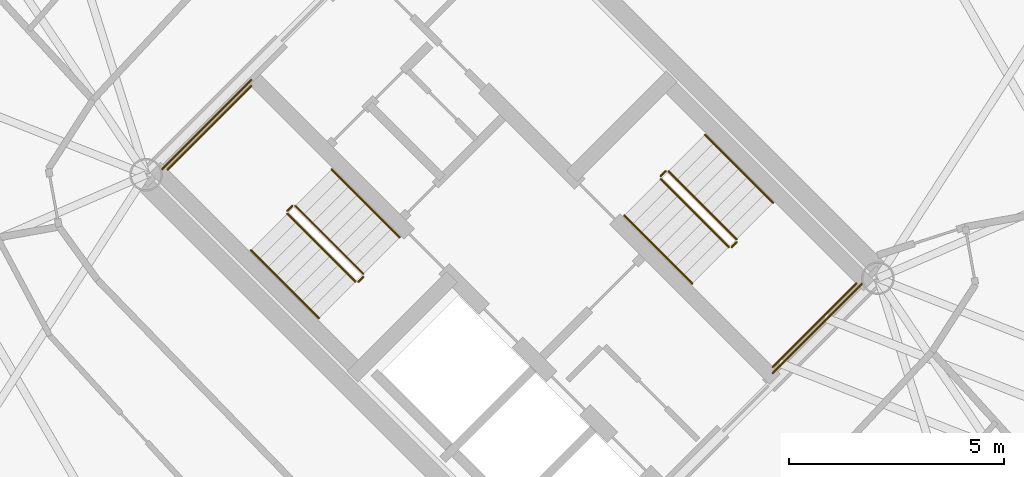
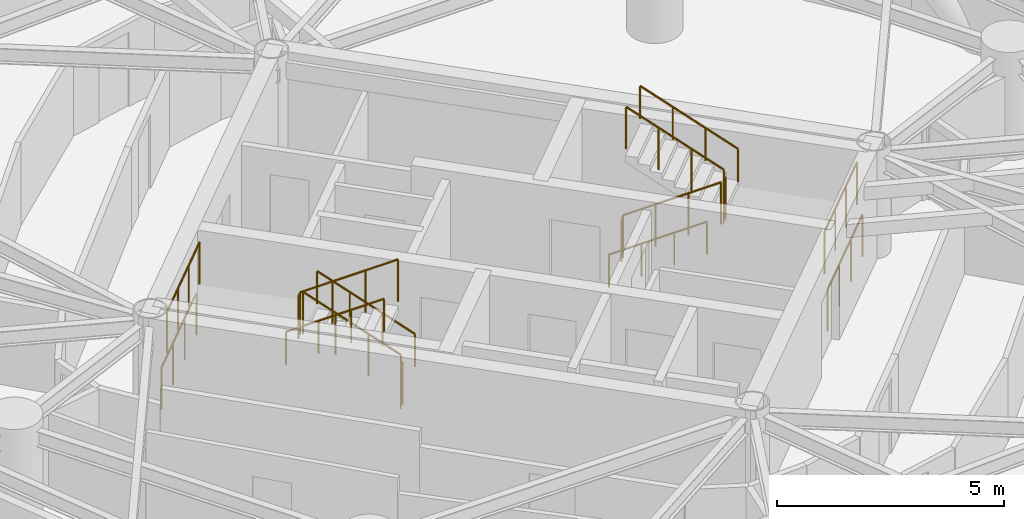
# One storey, part 17 of 17: 16 railings.
"""IFC4 building model written with IfcOpenShell, lengths in metres."""

from ifc_helpers import new_model, si_unit, direction, frame, origin, origin_2d, place, context, subcontext, project, spatial, circle, extrude, material, type_object, element, save


model = new_model("IFC4")

# Units and contexts
model_context = context("Model", 3, precision=1e-05, world=origin(), true_north=direction((0.0, 1.0)))
body_context = subcontext(model_context, "Body", "Model", "MODEL_VIEW")
ifc_project = project(units=[si_unit("LENGTHUNIT", "METRE"), si_unit("AREAUNIT", "SQUARE_METRE"), si_unit("VOLUMEUNIT", "CUBIC_METRE"), si_unit("PLANEANGLEUNIT", "RADIAN"), si_unit("MASSUNIT", "GRAM", prefix="KILO")], contexts=[model_context])

# Site, building, storey
site_placement = place(None, origin())
site = spatial("IfcSite", under=ifc_project, at=site_placement, CompositionType="ELEMENT")
building_placement = place(site_placement, origin())
building = spatial("IfcBuilding", under=site, at=building_placement, Name="Cununo Teusaquillo Station Towers", CompositionType="ELEMENT")
storey_placement = place(building_placement, frame((0.0, 0.0, 166.14990234375)))
storey = spatial("IfcBuildingStorey", under=building, at=storey_placement, Name="L52", CompositionType="ELEMENT", Elevation=166.14990234375)

# Railings
ifc_material_1 = material(Name="Steel EN 10025-2 S355J2", Category="steel")
railing_type_1 = type_object("IfcRailingType", Name="RL-INT-GUARD", PredefinedType="GUARDRAIL", material=ifc_material_1)
railing_1_placement = place(storey_placement, frame((54.03515625, 23.39697265625, 0.161865234375)))
element("IfcRailing", 1, at=railing_1_placement, inside=storey, type_object=railing_type_1, Name="L52 ST-T2-1 stair guard 1", PredefinedType="GUARDRAIL", context=body_context, shape_type="SweptSolid", body=[
    extrude(circle(Radius=0.02392578125, at=origin_2d()), frame((0.0, 0.0, 1.1259765625), z_axis=(-0.612361259024, 0.612361259024, 0.500027376144), x_axis=(-0.707106781187, -0.707106781187, 0.0)), (0.0, 0.0, 1.0), 2.586181640625),
    extrude(circle(Radius=0.02099609375, at=origin_2d()), origin(), (0.0, 0.0, 1.0), 1.101806640625),
    extrude(circle(Radius=0.02099609375, at=origin_2d()), frame((-0.52783203125, 0.52783203125, 0.43115234375)), (0.0, 0.0, 1.0), 1.101806640625),
    extrude(circle(Radius=0.02099609375, at=origin_2d()), frame((-1.055908203125, 1.055908203125, 0.862060546875)), (0.0, 0.0, 1.0), 1.101806640625),
    extrude(circle(Radius=0.02099609375, at=origin_2d()), frame((-1.583740234375, 1.583740234375, 1.293212890625)), (0.0, 0.0, 1.0), 1.101806640625),
])
railing_2_placement = place(storey_placement, frame((52.380615234375, 24.980712890625, 1.455078125)))
element("IfcRailing", 2, at=railing_2_placement, inside=storey, type_object=railing_type_1, Name="L52 ST-T2-1 stair guard 2", PredefinedType="GUARDRAIL", context=body_context, shape_type="SweptSolid", body=[
    extrude(circle(Radius=0.02392578125, at=origin_2d()), frame((0.0, 0.0, 1.1259765625), z_axis=(-0.7078691598, -0.706343579714, 0.0), x_axis=(0.706343579714, -0.7078691598, 0.0)), (0.0, 0.0, 1.0), 0.159912109375),
    extrude(circle(Radius=0.02099609375, at=origin_2d()), origin(), (0.0, 0.0, 1.0), 1.101806640625),
    extrude(circle(Radius=0.02099609375, at=origin_2d()), frame((-0.11328125, -0.113037109375, 0.0)), (0.0, 0.0, 1.0), 1.101806640625),
])
railing_3_placement = place(storey_placement, frame((51.426025390625, 27.77392578125, 1.455078125)))
element("IfcRailing", 3, at=railing_3_placement, inside=storey, type_object=railing_type_1, Name="L52 ST-T2-1 stair guard 3", PredefinedType="GUARDRAIL", context=body_context, shape_type="SweptSolid", body=[
    extrude(circle(Radius=0.02392578125, at=origin_2d()), frame((0.0, 0.0, 1.1259765625), z_axis=(-0.707106781187, -0.707106781187, 0.0), x_axis=(0.707106781187, -0.707106781187, 0.0)), (0.0, 0.0, 1.0), 2.760009765625),
    extrude(circle(Radius=0.02099609375, at=origin_2d()), origin(), (0.0, 0.0, 1.0), 1.101806640625),
    extrude(circle(Radius=0.02099609375, at=origin_2d()), frame((-0.650634765625, -0.650634765625, 0.0)), (0.0, 0.0, 1.0), 1.101806640625),
    extrude(circle(Radius=0.02099609375, at=origin_2d()), frame((-1.301025390625, -1.301025390625, 0.0)), (0.0, 0.0, 1.0), 1.101806640625),
    extrude(circle(Radius=0.02099609375, at=origin_2d()), frame((-1.95166015625, -1.95166015625, 0.0)), (0.0, 0.0, 1.0), 1.101806640625),
])
railing_4_placement = place(storey_placement, frame((52.267333984375, 24.796875, 1.61669921875)))
element("IfcRailing", 4, at=railing_4_placement, inside=storey, type_object=railing_type_1, Name="L52 ST-T2-1 stair guard 4", PredefinedType="GUARDRAIL", context=body_context, shape_type="SweptSolid", body=[
    extrude(circle(Radius=0.02392578125, at=origin_2d()), frame((0.0, 0.0, 1.1259765625), z_axis=(0.612391349474, -0.612296961165, 0.500069261639), x_axis=(0.707052281454, 0.707161276719, 0.0)), (0.0, 0.0, 1.0), 2.586669921875),
    extrude(circle(Radius=0.02099609375, at=origin_2d()), origin(), (0.0, 0.0, 1.0), 1.101806640625),
    extrude(circle(Radius=0.02099609375, at=origin_2d()), frame((0.528076171875, -0.52783203125, 0.43115234375)), (0.0, 0.0, 1.0), 1.101806640625),
    extrude(circle(Radius=0.02099609375, at=origin_2d()), frame((1.055908203125, -1.055908203125, 0.8623046875)), (0.0, 0.0, 1.0), 1.101806640625),
    extrude(circle(Radius=0.02099609375, at=origin_2d()), frame((1.583984375, -1.583740234375, 1.29345703125)), (0.0, 0.0, 1.0), 1.101806640625),
])
railing_5_placement = place(storey_placement, frame((54.03515625, 23.326171875, 0.0)))
element("IfcRailing", 5, at=railing_5_placement, inside=storey, type_object=railing_type_1, Name="L52 ST-T2-1 stair guard 5", PredefinedType="GUARDRAIL", context=body_context, shape_type="SweptSolid", body=[
    extrude(circle(Radius=0.02392578125, at=origin_2d()), frame((0.0, 0.0, 1.1259765625), z_axis=(-0.707106781187, -0.707106781187, 0.0), x_axis=(0.707106781187, -0.707106781187, 0.0)), (0.0, 0.0, 1.0), 0.159912109375),
    extrude(circle(Radius=0.02099609375, at=origin_2d()), origin(), (0.0, 0.0, 1.0), 1.101806640625),
    extrude(circle(Radius=0.02099609375, at=origin_2d()), frame((-0.113037109375, -0.113037109375, 0.0)), (0.0, 0.0, 1.0), 1.101806640625),
])
railing_6_placement = place(storey_placement, frame((51.426025390625, 27.915283203125, 0.0)))
element("IfcRailing", 6, at=railing_6_placement, inside=storey, type_object=railing_type_1, Name="L52 ST-T2-1 stair guard 6", PredefinedType="GUARDRAIL", context=body_context, shape_type="SweptSolid", body=[
    extrude(circle(Radius=0.02392578125, at=origin_2d()), frame((0.0, 0.0, 1.1259765625), z_axis=(-0.707106781187, -0.707106781187, 0.0), x_axis=(0.707106781187, -0.707106781187, 0.0)), (0.0, 0.0, 1.0), 2.9599609375),
    extrude(circle(Radius=0.02099609375, at=origin_2d()), origin(), (0.0, 0.0, 1.0), 1.101806640625),
    extrude(circle(Radius=0.02099609375, at=origin_2d()), frame((-0.69775390625, -0.69775390625, 0.0)), (0.0, 0.0, 1.0), 1.101806640625),
    extrude(circle(Radius=0.02099609375, at=origin_2d()), frame((-1.395263671875, -1.395263671875, 0.0)), (0.0, 0.0, 1.0), 1.101806640625),
    extrude(circle(Radius=0.02099609375, at=origin_2d()), frame((-2.093017578125, -2.093017578125, 0.0)), (0.0, 0.0, 1.0), 1.101806640625),
])
railing_7_placement = place(storey_placement, frame((60.96484375, 25.60302734375, 0.161865234375)))
element("IfcRailing", 7, at=railing_7_placement, inside=storey, type_object=railing_type_1, Name="L52 ST-T2-2 stair guard 1", PredefinedType="GUARDRAIL", context=body_context, shape_type="SweptSolid", body=[
    extrude(circle(Radius=0.02392578125, at=origin_2d()), frame((0.0, 0.0, 1.1259765625), z_axis=(0.612361259024, -0.612361259024, 0.500027376144), x_axis=(0.707106781187, 0.707106781187, 0.0)), (0.0, 0.0, 1.0), 2.586181640625),
    extrude(circle(Radius=0.02099609375, at=origin_2d()), origin(), (0.0, 0.0, 1.0), 1.101806640625),
    extrude(circle(Radius=0.02099609375, at=origin_2d()), frame((0.52783203125, -0.52783203125, 0.43115234375)), (0.0, 0.0, 1.0), 1.101806640625),
    extrude(circle(Radius=0.02099609375, at=origin_2d()), frame((1.055908203125, -1.055908203125, 0.862060546875)), (0.0, 0.0, 1.0), 1.101806640625),
    extrude(circle(Radius=0.02099609375, at=origin_2d()), frame((1.583740234375, -1.583740234375, 1.293212890625)), (0.0, 0.0, 1.0), 1.101806640625),
])
railing_8_placement = place(storey_placement, frame((62.619384765625, 24.019287109375, 1.455078125)))
element("IfcRailing", 8, at=railing_8_placement, inside=storey, type_object=railing_type_1, Name="L52 ST-T2-2 stair guard 2", PredefinedType="GUARDRAIL", context=body_context, shape_type="SweptSolid", body=[
    extrude(circle(Radius=0.02392578125, at=origin_2d()), frame((0.0, 0.0, 1.1259765625), z_axis=(0.7078691598, 0.706343579714, 0.0), x_axis=(-0.706343579714, 0.7078691598, 0.0)), (0.0, 0.0, 1.0), 0.159912109375),
    extrude(circle(Radius=0.02099609375, at=origin_2d()), origin(), (0.0, 0.0, 1.0), 1.101806640625),
    extrude(circle(Radius=0.02099609375, at=origin_2d()), frame((0.11328125, 0.113037109375, 0.0)), (0.0, 0.0, 1.0), 1.101806640625),
])
railing_9_placement = place(storey_placement, frame((63.573974609375, 21.22607421875, 1.455078125)))
element("IfcRailing", 9, at=railing_9_placement, inside=storey, type_object=railing_type_1, Name="L52 ST-T2-2 stair guard 3", PredefinedType="GUARDRAIL", context=body_context, shape_type="SweptSolid", body=[
    extrude(circle(Radius=0.02392578125, at=origin_2d()), frame((0.0, 0.0, 1.1259765625), z_axis=(0.707106781187, 0.707106781187, 0.0), x_axis=(-0.707106781187, 0.707106781187, 0.0)), (0.0, 0.0, 1.0), 2.760009765625),
    extrude(circle(Radius=0.02099609375, at=origin_2d()), origin(), (0.0, 0.0, 1.0), 1.101806640625),
    extrude(circle(Radius=0.02099609375, at=origin_2d()), frame((0.650634765625, 0.650634765625, 0.0)), (0.0, 0.0, 1.0), 1.101806640625),
    extrude(circle(Radius=0.02099609375, at=origin_2d()), frame((1.301025390625, 1.301025390625, 0.0)), (0.0, 0.0, 1.0), 1.101806640625),
    extrude(circle(Radius=0.02099609375, at=origin_2d()), frame((1.95166015625, 1.95166015625, 0.0)), (0.0, 0.0, 1.0), 1.101806640625),
])
railing_10_placement = place(storey_placement, frame((62.732666015625, 24.203125, 1.61669921875)))
element("IfcRailing", 10, at=railing_10_placement, inside=storey, type_object=railing_type_1, Name="L52 ST-T2-2 stair guard 4", PredefinedType="GUARDRAIL", context=body_context, shape_type="SweptSolid", body=[
    extrude(circle(Radius=0.02392578125, at=origin_2d()), frame((0.0, 0.0, 1.1259765625), z_axis=(-0.612391349474, 0.612296961165, 0.500069261639), x_axis=(-0.707052281454, -0.707161276719, 0.0)), (0.0, 0.0, 1.0), 2.586669921875),
    extrude(circle(Radius=0.02099609375, at=origin_2d()), origin(), (0.0, 0.0, 1.0), 1.101806640625),
    extrude(circle(Radius=0.02099609375, at=origin_2d()), frame((-0.528076171875, 0.52783203125, 0.43115234375)), (0.0, 0.0, 1.0), 1.101806640625),
    extrude(circle(Radius=0.02099609375, at=origin_2d()), frame((-1.055908203125, 1.055908203125, 0.8623046875)), (0.0, 0.0, 1.0), 1.101806640625),
    extrude(circle(Radius=0.02099609375, at=origin_2d()), frame((-1.583984375, 1.583740234375, 1.29345703125)), (0.0, 0.0, 1.0), 1.101806640625),
])
railing_11_placement = place(storey_placement, frame((60.96484375, 25.673828125, 0.0)))
element("IfcRailing", 11, at=railing_11_placement, inside=storey, type_object=railing_type_1, Name="L52 ST-T2-2 stair guard 5", PredefinedType="GUARDRAIL", context=body_context, shape_type="SweptSolid", body=[
    extrude(circle(Radius=0.02392578125, at=origin_2d()), frame((0.0, 0.0, 1.1259765625), z_axis=(0.707106781187, 0.707106781187, 0.0), x_axis=(-0.707106781187, 0.707106781187, 0.0)), (0.0, 0.0, 1.0), 0.159912109375),
    extrude(circle(Radius=0.02099609375, at=origin_2d()), origin(), (0.0, 0.0, 1.0), 1.101806640625),
    extrude(circle(Radius=0.02099609375, at=origin_2d()), frame((0.113037109375, 0.113037109375, 0.0)), (0.0, 0.0, 1.0), 1.101806640625),
])
railing_12_placement = place(storey_placement, frame((63.573974609375, 21.084716796875, 0.0)))
element("IfcRailing", 12, at=railing_12_placement, inside=storey, type_object=railing_type_1, Name="L52 ST-T2-2 stair guard 6", PredefinedType="GUARDRAIL", context=body_context, shape_type="SweptSolid", body=[
    extrude(circle(Radius=0.02392578125, at=origin_2d()), frame((0.0, 0.0, 1.1259765625), z_axis=(0.707106781187, 0.707106781187, 0.0), x_axis=(-0.707106781187, 0.707106781187, 0.0)), (0.0, 0.0, 1.0), 2.9599609375),
    extrude(circle(Radius=0.02099609375, at=origin_2d()), origin(), (0.0, 0.0, 1.0), 1.101806640625),
    extrude(circle(Radius=0.02099609375, at=origin_2d()), frame((0.69775390625, 0.69775390625, 0.0)), (0.0, 0.0, 1.0), 1.101806640625),
    extrude(circle(Radius=0.02099609375, at=origin_2d()), frame((1.395263671875, 1.395263671875, 0.0)), (0.0, 0.0, 1.0), 1.101806640625),
    extrude(circle(Radius=0.02099609375, at=origin_2d()), frame((2.093017578125, 2.093017578125, 0.0)), (0.0, 0.0, 1.0), 1.101806640625),
])
ifc_material_2 = material(Name="Steel EN 10025-2 S355J2", Category="steel")
railing_type_2 = type_object("IfcRailingType", Name="RL-INT-HRAIL", PredefinedType="HANDRAIL", material=ifc_material_2)
railing_13_placement = place(storey_placement, frame((54.8837890625, 24.245361328125, 0.161865234375)))
element("IfcRailing", 13, at=railing_13_placement, inside=storey, type_object=railing_type_2, Name="L52 ST-T2-1 stair handrail 1", PredefinedType="HANDRAIL", context=body_context, shape_type="SweptSolid", body=[
    extrude(circle(Radius=0.02392578125, at=origin_2d()), frame((0.0, 0.0, 0.8759765625), z_axis=(-0.612384857071, 0.612384857071, 0.499969572735), x_axis=(-0.707106781187, -0.707106781187, 0.0)), (0.0, 0.0, 1.0), 2.586669921875),
    extrude(circle(Radius=0.02099609375, at=origin_2d()), origin(), (0.0, 0.0, 1.0), 0.851806640625),
    extrude(circle(Radius=0.02099609375, at=origin_2d()), frame((-0.528076171875, 0.528076171875, 0.43115234375)), (0.0, 0.0, 1.0), 0.851806640625),
    extrude(circle(Radius=0.02099609375, at=origin_2d()), frame((-1.055908203125, 1.055908203125, 0.862060546875)), (0.0, 0.0, 1.0), 0.851806640625),
    extrude(circle(Radius=0.02099609375, at=origin_2d()), frame((-1.583984375, 1.583984375, 1.293212890625)), (0.0, 0.0, 1.0), 0.851806640625),
])
railing_14_placement = place(storey_placement, frame((51.4189453125, 23.948486328125, 1.61669921875)))
element("IfcRailing", 14, at=railing_14_placement, inside=storey, type_object=railing_type_2, Name="L52 ST-T2-1 stair handrail 2", PredefinedType="HANDRAIL", context=body_context, shape_type="SweptSolid", body=[
    extrude(circle(Radius=0.02392578125, at=origin_2d()), frame((0.0, 0.0, 0.8759765625), z_axis=(0.612355957468, -0.612355957468, 0.500040361077), x_axis=(0.707106781187, 0.707106781187, 0.0)), (0.0, 0.0, 1.0), 2.586669921875),
    extrude(circle(Radius=0.02099609375, at=origin_2d()), origin(), (0.0, 0.0, 1.0), 0.851806640625),
    extrude(circle(Radius=0.02099609375, at=origin_2d()), frame((0.528076171875, -0.528076171875, 0.43115234375)), (0.0, 0.0, 1.0), 0.851806640625),
    extrude(circle(Radius=0.02099609375, at=origin_2d()), frame((1.055908203125, -1.055908203125, 0.8623046875)), (0.0, 0.0, 1.0), 0.851806640625),
    extrude(circle(Radius=0.02099609375, at=origin_2d()), frame((1.583984375, -1.583984375, 1.29345703125)), (0.0, 0.0, 1.0), 0.851806640625),
])
railing_15_placement = place(storey_placement, frame((60.1162109375, 24.754638671875, 0.161865234375)))
element("IfcRailing", 15, at=railing_15_placement, inside=storey, type_object=railing_type_2, Name="L52 ST-T2-2 stair handrail 1", PredefinedType="HANDRAIL", context=body_context, shape_type="SweptSolid", body=[
    extrude(circle(Radius=0.02392578125, at=origin_2d()), frame((0.0, 0.0, 0.8759765625), z_axis=(0.612384857071, -0.612384857071, 0.499969572735), x_axis=(0.707106781187, 0.707106781187, 0.0)), (0.0, 0.0, 1.0), 2.586669921875),
    extrude(circle(Radius=0.02099609375, at=origin_2d()), origin(), (0.0, 0.0, 1.0), 0.851806640625),
    extrude(circle(Radius=0.02099609375, at=origin_2d()), frame((0.528076171875, -0.528076171875, 0.43115234375)), (0.0, 0.0, 1.0), 0.851806640625),
    extrude(circle(Radius=0.02099609375, at=origin_2d()), frame((1.055908203125, -1.055908203125, 0.862060546875)), (0.0, 0.0, 1.0), 0.851806640625),
    extrude(circle(Radius=0.02099609375, at=origin_2d()), frame((1.583984375, -1.583984375, 1.293212890625)), (0.0, 0.0, 1.0), 0.851806640625),
])
railing_16_placement = place(storey_placement, frame((63.5810546875, 25.051513671875, 1.61669921875)))
element("IfcRailing", 16, at=railing_16_placement, inside=storey, type_object=railing_type_2, Name="L52 ST-T2-2 stair handrail 2", PredefinedType="HANDRAIL", context=body_context, shape_type="SweptSolid", body=[
    extrude(circle(Radius=0.02392578125, at=origin_2d()), frame((0.0, 0.0, 0.8759765625), z_axis=(-0.612355957468, 0.612355957468, 0.500040361077), x_axis=(-0.707106781187, -0.707106781187, 0.0)), (0.0, 0.0, 1.0), 2.586669921875),
    extrude(circle(Radius=0.02099609375, at=origin_2d()), origin(), (0.0, 0.0, 1.0), 0.851806640625),
    extrude(circle(Radius=0.02099609375, at=origin_2d()), frame((-0.528076171875, 0.528076171875, 0.43115234375)), (0.0, 0.0, 1.0), 0.851806640625),
    extrude(circle(Radius=0.02099609375, at=origin_2d()), frame((-1.055908203125, 1.055908203125, 0.8623046875)), (0.0, 0.0, 1.0), 0.851806640625),
    extrude(circle(Radius=0.02099609375, at=origin_2d()), frame((-1.583984375, 1.583984375, 1.29345703125)), (0.0, 0.0, 1.0), 0.851806640625),
])

save(model, "model.ifc")
